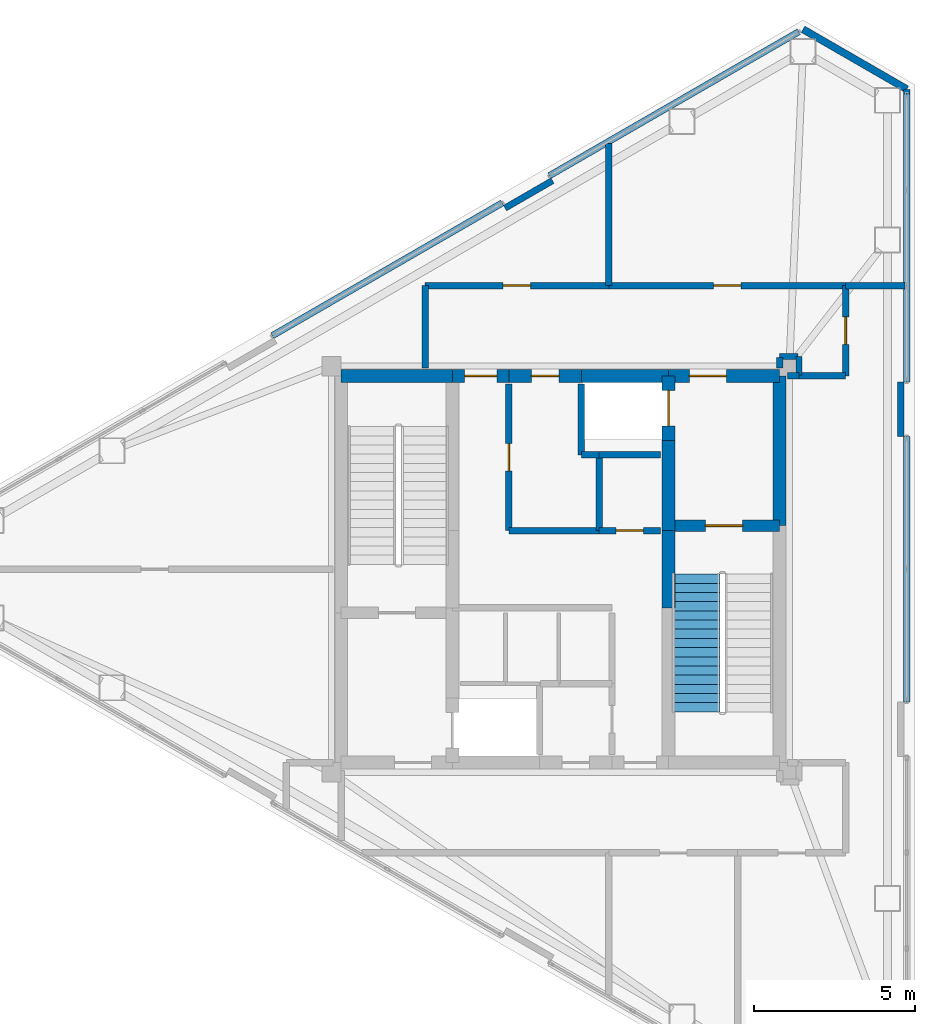
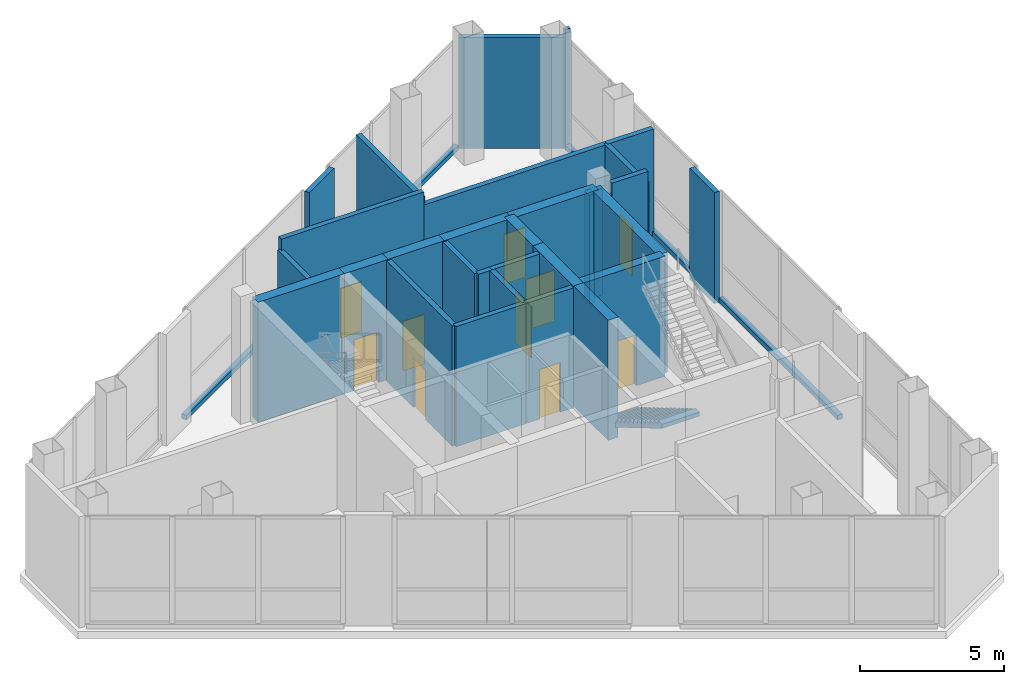
# One storey, part 11 of 13: 36 walls, 10 doors, 1 stair flight, 10 openings, 1 element without a shape of its own.
"""IFC4 building model written with IfcOpenShell, lengths in metres."""

from ifc_helpers import new_model, si_unit, direction, frame, frame_2d, origin, place, context, subcontext, project, spatial, polyline, rectangle, outline, extrude, material, layer, layer_set, type_object, element, fill, aggregate, save


model = new_model("IFC4")

# Units and contexts
model_context = context("Model", 3, precision=1e-05, world=origin(), true_north=direction((0.0, 1.0)))
body_context = subcontext(model_context, "Body", "Model", "MODEL_VIEW")
ifc_project = project(units=[si_unit("LENGTHUNIT", "METRE"), si_unit("AREAUNIT", "SQUARE_METRE"), si_unit("VOLUMEUNIT", "CUBIC_METRE"), si_unit("PLANEANGLEUNIT", "RADIAN"), si_unit("MASSUNIT", "GRAM", prefix="KILO")], contexts=[model_context])

# Site, building, storey
site_placement = place(None, origin())
site = spatial("IfcSite", under=ifc_project, at=site_placement, CompositionType="ELEMENT")
building_placement = place(site_placement, origin())
building = spatial("IfcBuilding", under=site, at=building_placement, Name="Mersakhor Tower and Convention Hall", CompositionType="ELEMENT")
storey_placement = place(building_placement, frame((0.0, 0.0, 258.60009765625)))
storey = spatial("IfcBuildingStorey", under=building, at=storey_placement, Name="L72", CompositionType="ELEMENT", Elevation=258.60009765625)

# Walls
ifc_material_1 = material(Name="Precast concrete C40/50", Category="concrete")
ifc_layer_1 = layer(ifc_material_1, 0.22509765625)
ifc_layer_set_1 = layer_set([ifc_layer_1], Name="Precast concrete C40/50")
wall_type_1 = type_object("IfcWallType", Name="WL-EXT-225", PredefinedType="SOLIDWALL", material=ifc_layer_set_1)
wall_1_placement = place(storey_placement, frame((36.525146484375, 43.49951171875, 0.0), z_axis=(0.0, 0.0, 1.0), x_axis=(0.866038962515, -0.499976514854, 0.0)))
element("IfcWall", 1, at=wall_1_placement, inside=storey, type_object=wall_type_1, Name="L72 Chamfer Braced Spandrel Wall C1", PredefinedType="SOLIDWALL", context=body_context, shape_type="SweptSolid", body=[
    extrude(rectangle(XDim=3.715576171875, YDim=0.22509765625, at=frame_2d((1.85791015625, 0.0))), origin(), (0.0, 0.0, 1.0), 4.699951171875),
])
ifc_material_2 = material(Name="Precast concrete C40/50", Category="concrete")
ifc_layer_2 = layer(ifc_material_2, 0.199951171875)
ifc_layer_set_2 = layer_set([ifc_layer_2], Name="Precast concrete C40/50")
wall_type_2 = type_object("IfcWallType", Name="WL-PAR-200", PredefinedType="PARAPET", material=ifc_layer_set_2)
wall_2_placement = place(storey_placement, frame((20.06591796875, 33.99658203125, 0.0), z_axis=(0.0, 0.0, 1.0), x_axis=(0.866019557082, 0.500010126649, 0.0)))
element("IfcWall", 2, at=wall_2_placement, inside=storey, type_object=wall_type_2, Name="L72 Curtain Wall Upstand Sill F1-B2", PredefinedType="PARAPET", context=body_context, shape_type="SweptSolid", body=[
    extrude(rectangle(XDim=8.227783203125, YDim=0.199951171875, at=frame_2d((4.11376953125, 0.0))), origin(), (0.0, 0.0, 1.0), 0.199951171875),
])
wall_3_placement = place(storey_placement, frame((28.66357421875, 38.96044921875, 0.0), z_axis=(0.0, 0.0, 1.0), x_axis=(0.866026655105, 0.499997832642, 0.0)))
element("IfcWall", 3, at=wall_3_placement, inside=storey, type_object=wall_type_2, Name="L72 Curtain Wall Upstand Sill F1-B3", PredefinedType="PARAPET", context=body_context, shape_type="SweptSolid", body=[
    extrude(rectangle(XDim=8.927734375, YDim=0.199951171875, at=frame_2d((4.4638671875, 0.0))), origin(), (0.0, 0.0, 1.0), 0.199951171875),
])
wall_4_placement = place(storey_placement, frame((27.28125, 37.95458984375, 0.0), z_axis=(0.0, 0.0, 1.0), x_axis=(0.866025371046, 0.500000056704, 0.0)))
element("IfcWall", 4, at=wall_4_placement, inside=storey, type_object=wall_type_2, Name="L72 Column Pier Cladding Wall F1-C2", PredefinedType="PARAPET", context=body_context, shape_type="SweptSolid", body=[
    extrude(rectangle(XDim=1.7001953125, YDim=0.199951171875, at=frame_2d((0.85009765625, 0.0))), origin(), (0.0, 0.0, 1.0), 4.699951171875),
])
wall_5_placement = place(storey_placement, frame((39.742919921875, 41.49169921875, 0.0), z_axis=(0.0, 0.0, 1.0), x_axis=(0.0, -1.0, 0.0)))
element("IfcWall", 5, at=wall_5_placement, inside=storey, type_object=wall_type_2, Name="L72 Curtain Wall Upstand Sill F2-B1", PredefinedType="PARAPET", context=body_context, shape_type="SweptSolid", body=[
    extrude(rectangle(XDim=8.927734375, YDim=0.199951171875, at=frame_2d((4.4638671875, 0.0))), origin(), (0.0, 0.0, 1.0), 0.199951171875),
])
wall_6_placement = place(storey_placement, frame((39.742919921875, 30.864013671875, 0.0), z_axis=(0.0, 0.0, 1.0), x_axis=(0.0, -1.0, 0.0)))
element("IfcWall", 6, at=wall_6_placement, inside=storey, type_object=wall_type_2, Name="L72 Curtain Wall Upstand Sill F2-B2", PredefinedType="PARAPET", context=body_context, shape_type="SweptSolid", body=[
    extrude(rectangle(XDim=8.22802734375, YDim=0.199951171875, at=frame_2d((4.114013671875, 0.0))), origin(), (0.0, 0.0, 1.0), 0.199951171875),
])
wall_7_placement = place(storey_placement, frame((39.562744140625, 32.56396484375, 0.0), z_axis=(0.0, 0.0, 1.0), x_axis=(0.0, -1.0, 0.0)))
element("IfcWall", 7, at=wall_7_placement, inside=storey, type_object=wall_type_2, Name="L72 Column Pier Cladding Wall F2-C1", PredefinedType="PARAPET", context=body_context, shape_type="SweptSolid", body=[
    extrude(rectangle(XDim=1.699951171875, YDim=0.199951171875, at=frame_2d((0.85009765625, 0.0))), origin(), (0.0, 0.0, 1.0), 4.699951171875),
])
ifc_material_3 = material(Name="Acoustic concrete blockwork and gypsum board", Category="masonry")
ifc_layer_3 = layer(ifc_material_3, 0.199951171875)
ifc_layer_set_3 = layer_set([ifc_layer_3], Name="Acoustic concrete blockwork and gypsum board")
wall_type_3 = type_object("IfcWallType", Name="WL-PRT-200", PredefinedType="PARTITIONING", material=ifc_layer_set_3)
wall_8_placement = place(storey_placement, frame((32.10009765625, 30.300048828125, 0.0), z_axis=(0.0, 0.0, 1.0), x_axis=(-1.0, 0.0, 0.0)))
element("IfcWall", 8, at=wall_8_placement, inside=storey, type_object=wall_type_3, Name="L72 Interior Partition Wall P-004", PredefinedType="PARTITIONING", context=body_context, shape_type="SweptSolid", body=[
    extrude(rectangle(XDim=1.900146484375, YDim=0.199951171875, at=frame_2d((0.9501953125, 0.0))), origin(), (0.0, 0.0, 1.0), 5.079833984375),
])
wall_9_placement = place(storey_placement, frame((30.199951171875, 30.300048828125, 0.0), z_axis=(0.0, 0.0, 1.0), x_axis=(-1.0, 0.0, 0.0)))
element("IfcWall", 9, at=wall_9_placement, inside=storey, type_object=wall_type_3, Name="L72 Interior Partition Wall P-005", PredefinedType="PARTITIONING", context=body_context, shape_type="SweptSolid", body=[
    extrude(rectangle(XDim=0.550048828125, YDim=0.199951171875, at=frame_2d((0.27490234375, 0.0))), origin(), (0.0, 0.0, 1.0), 5.079833984375),
])
wall_10_placement = place(storey_placement, frame((29.64990234375, 30.300048828125, 0.0), z_axis=(0.0, 0.0, 1.0), x_axis=(0.0, 1.0, 0.0)))
element("IfcWall", 10, at=wall_10_placement, inside=storey, type_object=wall_type_3, Name="L72 Interior Partition Wall P-006", PredefinedType="PARTITIONING", context=body_context, shape_type="SweptSolid", body=[
    extrude(rectangle(XDim=2.199951171875, YDim=0.199951171875, at=frame_2d((1.10009765625, 0.0))), origin(), (0.0, 0.0, 1.0), 5.079833984375),
])

# Wall, opening, door
wall_11_placement = place(storey_placement, frame((27.39990234375, 32.5, 0.0), z_axis=(0.0, 0.0, 1.0), x_axis=(0.0, -1.0, 0.0)))
wall_11 = element("IfcWall", 11, at=wall_11_placement, inside=storey, type_object=wall_type_3, Name="L72 Interior Partition Wall P-013", PredefinedType="PARTITIONING", context=body_context, shape_type="SweptSolid", body=[
    extrude(rectangle(XDim=4.550048828125, YDim=0.199951171875, at=frame_2d((2.27490234375, 0.0))), origin(), (0.0, 0.0, 1.0), 5.079833984375),
])
opening_1_placement = place(wall_11_placement, frame((1.85009765625, 0.0, 0.0)))
opening_1 = element("IfcOpeningElement", 12, at=opening_1_placement, cuts=wall_11, Name="Opening SVD-01", PredefinedType="OPENING", context=body_context, shape_type="SweptSolid", body=[
    extrude(rectangle(XDim=0.85009765625, YDim=2.10009765625, at=frame_2d((0.425048828125, 1.050048828125))), frame((0.0, 0.10986328125, 0.0), z_axis=(0.0, -1.0, 0.0), x_axis=(1.0, 0.0, 0.0)), (0.0, 0.0, 1.0), 0.219970703125),
])
ifc_material_4 = material(Name="Fire-rated hardwood leaf and painted steel frame", Category="steel")
door_type_1 = type_object("IfcDoorType", Name="DR-INT-SVC-085x210", OperationType="NOTDEFINED", PredefinedType="DOOR", material=ifc_material_4)
door_1_placement = place(opening_1_placement, origin())
door_1 = element("IfcDoor", 13, at=door_1_placement, inside=storey, type_object=door_type_1, Name="L72 Central Passenger Lift Lobby to Core Pressurisation Fan Plant Room Door", OperationType="SINGLE_SWING_RIGHT", OverallHeight=2.10009765625, OverallWidth=0.85009765625, PredefinedType="DOOR", context=body_context, shape_type="SweptSolid", body=[
    extrude(rectangle(XDim=0.85009765625, YDim=2.10009765625, at=frame_2d((0.425048828125, 1.050048828125))), frame((0.0, 0.02490234375, 0.0), z_axis=(0.0, -1.0, 0.0), x_axis=(1.0, 0.0, 0.0)), (0.0, 0.0, 1.0), 0.050048828125),
])
fill(opening_1, door_1)

# Wall
wall_12_placement = place(storey_placement, frame((27.39990234375, 27.949951171875, 0.0), z_axis=(0.0, 0.0, 1.0), x_axis=(1.0, 0.0, 0.0)))
element("IfcWall", 14, at=wall_12_placement, inside=storey, type_object=wall_type_3, Name="L72 Interior Partition Wall P-014", PredefinedType="PARTITIONING", context=body_context, shape_type="SweptSolid", body=[
    extrude(rectangle(XDim=2.800048828125, YDim=0.199951171875, at=frame_2d((1.39990234375, 0.0))), origin(), (0.0, 0.0, 1.0), 5.079833984375),
])

# Wall, opening, door
wall_13_placement = place(storey_placement, frame((30.199951171875, 27.949951171875, 0.0), z_axis=(0.0, 0.0, 1.0), x_axis=(1.0, 0.0, 0.0)))
wall_13 = element("IfcWall", 15, at=wall_13_placement, inside=storey, type_object=wall_type_3, Name="L72 Interior Partition Wall P-015", PredefinedType="PARTITIONING", context=body_context, shape_type="SweptSolid", body=[
    extrude(rectangle(XDim=1.900146484375, YDim=0.199951171875, at=frame_2d((0.9501953125, 0.0))), origin(), (0.0, 0.0, 1.0), 5.079833984375),
])
opening_2_placement = place(wall_13_placement, frame((0.52490234375, 0.0, 0.0)))
opening_2 = element("IfcOpeningElement", 16, at=opening_2_placement, cuts=wall_13, Name="Opening SVD-01", PredefinedType="OPENING", context=body_context, shape_type="SweptSolid", body=[
    extrude(rectangle(XDim=0.85009765625, YDim=2.10009765625, at=frame_2d((0.425048828125, 1.050048828125))), frame((0.0, 0.10986328125, 0.0), z_axis=(0.0, -1.0, 0.0), x_axis=(1.0, 0.0, 0.0)), (0.0, 0.0, 1.0), 0.219970703125),
])
door_2_placement = place(opening_2_placement, origin())
door_2 = element("IfcDoor", 17, at=door_2_placement, inside=storey, type_object=door_type_1, Name="L72 Central Passenger Lift Lobby to Core Fire Alarm and BMS Plant Room Door", OperationType="SINGLE_SWING_LEFT", OverallHeight=2.10009765625, OverallWidth=0.85009765625, PredefinedType="DOOR", context=body_context, shape_type="SweptSolid", body=[
    extrude(rectangle(XDim=0.85009765625, YDim=2.10009765625, at=frame_2d((0.425048828125, 1.050048828125))), frame((0.0, 0.02490234375, 0.0), z_axis=(0.0, -1.0, 0.0), x_axis=(1.0, 0.0, 0.0)), (0.0, 0.0, 1.0), 0.050048828125),
])
fill(opening_2, door_2)

wall_14_placement = place(storey_placement, frame((24.800048828125, 35.550048828125, 0.0), z_axis=(0.0, 0.0, 1.0), x_axis=(1.0, 0.0, 0.0)))
wall_14 = element("IfcWall", 18, at=wall_14_placement, inside=storey, type_object=wall_type_3, Name="L72 Interior Partition Wall P-016", PredefinedType="PARTITIONING", context=body_context, shape_type="SweptSolid", body=[
    extrude(rectangle(XDim=5.699951171875, YDim=0.199951171875, at=frame_2d((2.85009765625, 0.0))), origin(), (0.0, 0.0, 1.0), 5.079833984375),
])
opening_3_placement = place(wall_14_placement, frame((2.425048828125, 0.0, 0.0)))
opening_3 = element("IfcOpeningElement", 19, at=opening_3_placement, cuts=wall_14, Name="Opening SVD-01", PredefinedType="OPENING", context=body_context, shape_type="SweptSolid", body=[
    extrude(rectangle(XDim=0.85009765625, YDim=2.10009765625, at=frame_2d((0.425048828125, 1.050048828125))), frame((0.0, 0.10986328125, 0.0), z_axis=(0.0, -1.0, 0.0), x_axis=(1.0, 0.0, 0.0)), (0.0, 0.0, 1.0), 0.219970703125),
])
door_3_placement = place(opening_3_placement, origin())
door_3 = element("IfcDoor", 20, at=door_3_placement, inside=storey, type_object=door_type_1, Name="L72 L72 North Mechanical Plant Corridor to Upper Zone Air Handling Plant Room Door", OperationType="SINGLE_SWING_LEFT", OverallHeight=2.10009765625, OverallWidth=0.85009765625, PredefinedType="DOOR", context=body_context, shape_type="SweptSolid", body=[
    extrude(rectangle(XDim=0.85009765625, YDim=2.10009765625, at=frame_2d((0.425048828125, 1.050048828125))), frame((0.0, 0.02490234375, 0.0), z_axis=(0.0, -1.0, 0.0), x_axis=(1.0, 0.0, 0.0)), (0.0, 0.0, 1.0), 0.050048828125),
])
fill(opening_3, door_3)

wall_15_placement = place(storey_placement, frame((30.5, 35.550048828125, 0.0), z_axis=(0.0, 0.0, 1.0), x_axis=(1.0, 0.0, 0.0)))
wall_15 = element("IfcWall", 21, at=wall_15_placement, inside=storey, type_object=wall_type_3, Name="L72 Interior Partition Wall P-017", PredefinedType="PARTITIONING", context=body_context, shape_type="SweptSolid", body=[
    extrude(rectangle(XDim=7.35009765625, YDim=0.199951171875, at=frame_2d((3.675048828125, 0.0))), origin(), (0.0, 0.0, 1.0), 4.5283203125),
])
opening_4_placement = place(wall_15_placement, frame((3.25, 0.0, 0.0)))
opening_4 = element("IfcOpeningElement", 22, at=opening_4_placement, cuts=wall_15, Name="Opening SVD-01", PredefinedType="OPENING", context=body_context, shape_type="SweptSolid", body=[
    extrude(rectangle(XDim=0.85009765625, YDim=2.10009765625, at=frame_2d((0.425048828125, 1.050048828125))), frame((0.0, 0.10986328125, 0.0), z_axis=(0.0, -1.0, 0.0), x_axis=(1.0, 0.0, 0.0)), (0.0, 0.0, 1.0), 0.219970703125),
])
door_4_placement = place(opening_4_placement, origin())
door_4 = element("IfcDoor", 23, at=door_4_placement, inside=storey, type_object=door_type_1, Name="L72 L72 North Mechanical Plant Corridor to Tuned Mass Damper Pendulum Chamber Door", OperationType="SINGLE_SWING_RIGHT", OverallHeight=2.10009765625, OverallWidth=0.85009765625, PredefinedType="DOOR", context=body_context, shape_type="SweptSolid", body=[
    extrude(rectangle(XDim=0.85009765625, YDim=2.10009765625, at=frame_2d((0.425048828125, 1.050048828125))), frame((0.0, 0.02490234375, 0.0), z_axis=(0.0, -1.0, 0.0), x_axis=(1.0, 0.0, 0.0)), (0.0, 0.0, 1.0), 0.050048828125),
])
fill(opening_4, door_4)

wall_16_placement = place(storey_placement, frame((37.85009765625, 35.550048828125, 0.0), z_axis=(0.0, 0.0, 1.0), x_axis=(0.0, -1.0, 0.0)))
wall_16 = element("IfcWall", 24, at=wall_16_placement, inside=storey, type_object=wall_type_3, Name="L72 Interior Partition Wall P-018", PredefinedType="PARTITIONING", context=body_context, shape_type="SweptSolid", body=[
    extrude(rectangle(XDim=2.800048828125, YDim=0.199951171875, at=frame_2d((1.39990234375, 0.0))), origin(), (0.0, 0.0, 1.0), 4.5283203125),
])
opening_5_placement = place(wall_16_placement, frame((0.97509765625, 0.0, 0.0)))
opening_5 = element("IfcOpeningElement", 25, at=opening_5_placement, cuts=wall_16, Name="Opening SVD-01", PredefinedType="OPENING", context=body_context, shape_type="SweptSolid", body=[
    extrude(rectangle(XDim=0.85009765625, YDim=2.10009765625, at=frame_2d((0.425048828125, 1.050048828125))), frame((0.0, 0.10986328125, 0.0), z_axis=(0.0, -1.0, 0.0), x_axis=(1.0, 0.0, 0.0)), (0.0, 0.0, 1.0), 0.219970703125),
])
door_5_placement = place(opening_5_placement, origin())
door_5 = element("IfcDoor", 26, at=door_5_placement, inside=storey, type_object=door_type_1, Name="L72 L72 North Mechanical Plant Corridor to High-Zone Booster Water Pump Room Door", OperationType="SINGLE_SWING_RIGHT", OverallHeight=2.10009765625, OverallWidth=0.85009765625, PredefinedType="DOOR", context=body_context, shape_type="SweptSolid", body=[
    extrude(rectangle(XDim=0.85009765625, YDim=2.10009765625, at=frame_2d((0.425048828125, 1.050048828125))), frame((0.0, 0.02490234375, 0.0), z_axis=(0.0, -1.0, 0.0), x_axis=(1.0, 0.0, 0.0)), (0.0, 0.0, 1.0), 0.050048828125),
])
fill(opening_5, door_5)

# Walls
wall_17_placement = place(storey_placement, frame((37.85009765625, 32.75, 0.0), z_axis=(0.0, 0.0, 1.0), x_axis=(-1.0, 0.0, 0.0)))
element("IfcWall", 27, at=wall_17_placement, inside=storey, type_object=wall_type_3, Name="L72 Interior Partition Wall P-019", PredefinedType="PARTITIONING", context=body_context, shape_type="SweptSolid", body=[
    extrude(rectangle(XDim=1.4501953125, YDim=0.199951171875, at=frame_2d((0.72509765625, 0.0))), origin(), (0.0, 0.0, 1.0), 5.079833984375),
])
for number, where, z_axis, x_axis, name in (
    (28, (36.39990234375, 32.780029296875, 0.0), (0.0, 0.0, 1.0), (0.0, 1.0, 0.0), "L72 Interior Partition Wall P-020"),
    (29, (36.3701171875, 33.35009765625, 0.0), (0.0, 0.0, 1.0), (-1.0, 0.0, 0.0), "L72 Interior Partition Wall P-021"),
):
    element("IfcWall", number, at=place(storey_placement, frame(where, z_axis=z_axis, x_axis=x_axis)), inside=storey, type_object=wall_type_3, Name=name, PredefinedType="PARTITIONING", context=body_context, shape_type="SweptSolid", body=[
        extrude(rectangle(XDim=0.570068359375, YDim=0.199951171875, at=frame_2d((0.28515625, 0.0))), origin(), (0.0, 0.0, 1.0), 4.5283203125),
    ])
wall_18_placement = place(storey_placement, frame((35.800048828125, 33.320068359375, 0.0), z_axis=(0.0, 0.0, 1.0), x_axis=(0.0, -1.0, 0.0)))
element("IfcWall", 30, at=wall_18_placement, inside=storey, type_object=wall_type_3, Name="L72 Interior Partition Wall P-022", PredefinedType="PARTITIONING", context=body_context, shape_type="SweptSolid", body=[
    extrude(rectangle(XDim=0.320068359375, YDim=0.199951171875, at=frame_2d((0.16015625, 0.0))), origin(), (0.0, 0.0, 1.0), 4.60498046875),
])
wall_19_placement = place(storey_placement, frame((24.800048828125, 33.0, 0.0), z_axis=(0.0, 0.0, 1.0), x_axis=(0.0, 1.0, 0.0)))
element("IfcWall", 31, at=wall_19_placement, inside=storey, type_object=wall_type_3, Name="L72 Interior Partition Wall P-023", PredefinedType="PARTITIONING", context=body_context, shape_type="SweptSolid", body=[
    extrude(rectangle(XDim=2.550048828125, YDim=0.199951171875, at=frame_2d((1.27490234375, 0.0))), origin(), (0.0, 0.0, 1.0), 4.60498046875),
])
wall_20_placement = place(storey_placement, frame((30.199951171875, 30.300048828125, 0.0), z_axis=(0.0, 0.0, 1.0), x_axis=(0.0, -1.0, 0.0)))
element("IfcWall", 32, at=wall_20_placement, inside=storey, type_object=wall_type_3, Name="L72 Interior Partition Wall P-033", PredefinedType="PARTITIONING", context=body_context, shape_type="SweptSolid", body=[
    extrude(rectangle(XDim=2.35009765625, YDim=0.199951171875, at=frame_2d((1.175048828125, 0.0))), origin(), (0.0, 0.0, 1.0), 5.079833984375),
])
wall_21_placement = place(storey_placement, frame((39.69287109375, 35.550048828125, 0.0), z_axis=(0.0, 0.0, 1.0), x_axis=(-1.0, 0.0, 0.0)))
element("IfcWall", 33, at=wall_21_placement, inside=storey, type_object=wall_type_3, Name="L72 Interior Partition Wall P-034", PredefinedType="PARTITIONING", context=body_context, shape_type="SweptSolid", body=[
    extrude(rectangle(XDim=1.8427734375, YDim=0.199951171875, at=frame_2d((0.92138671875, 0.0))), origin(), (0.0, 0.0, 1.0), 4.5283203125),
])
wall_22_placement = place(storey_placement, frame((30.5, 35.550048828125, 0.0), z_axis=(0.0, 0.0, 1.0), x_axis=(0.0, 1.0, 0.0)))
element("IfcWall", 34, at=wall_22_placement, inside=storey, type_object=wall_type_3, Name="L72 Interior Partition Wall P-035", PredefinedType="PARTITIONING", context=body_context, shape_type="SweptSolid", body=[
    extrude(rectangle(XDim=4.412841796875, YDim=0.199951171875, at=frame_2d((2.20654296875, 0.0))), origin(), (0.0, 0.0, 1.0), 4.8046875),
])
wall_23_placement = place(storey_placement, frame((39.742919921875, 41.626953125, 0.0), z_axis=(0.0, 0.0, 1.0), x_axis=(0.0, -1.0, 0.0)))
element("IfcWall", 35, at=wall_23_placement, inside=storey, type_object=wall_type_3, Name="L72 Interior Partition Wall P-036", PredefinedType="PARTITIONING", context=body_context, shape_type="SweptSolid", body=[
    extrude(rectangle(XDim=0.13525390625, YDim=0.199951171875, at=frame_2d((0.067626953125, 0.0))), origin(), (0.0, 0.0, 1.0), 5.079833984375),
])
wall_24_placement = place(storey_placement, frame((36.050048828125, 32.75, 0.0), z_axis=(0.0, 0.0, 1.0), x_axis=(1.0, 0.0, 0.0)))
element("IfcWall", 36, at=wall_24_placement, inside=storey, type_object=wall_type_3, Name="L72 Interior Partition Wall P-043", PredefinedType="PARTITIONING", context=body_context, shape_type="SweptSolid", body=[
    extrude(rectangle(XDim=0.349853515625, YDim=0.199951171875, at=frame_2d((0.1748046875, 0.0))), origin(), (0.0, 0.0, 1.0), 4.60498046875),
])

# Wall, opening, door
ifc_material_5 = material(Name="Concrete C50/60", Category="concrete")
ifc_layer_4 = layer(ifc_material_5, 0.35009765625)
ifc_layer_set_4 = layer_set([ifc_layer_4], Name="Concrete C50/60")
wall_type_4 = type_object("IfcWallType", Name="WL-SHR-350", PredefinedType="SHEAR", material=ifc_layer_set_4)
wall_25_placement = place(storey_placement, frame((32.35009765625, 28.10009765625, 0.0), z_axis=(0.0, 0.0, 1.0), x_axis=(1.0, 0.0, 0.0)))
wall_25 = element("IfcWall", 37, at=wall_25_placement, inside=storey, type_object=wall_type_4, Name="L72 Core Wall CS-ST2-N", PredefinedType="SHEAR", context=body_context, shape_type="SweptSolid", body=[
    extrude(rectangle(XDim=3.449951171875, YDim=0.35009765625, at=frame_2d((1.72509765625, 0.0))), origin(), (0.0, 0.0, 1.0), 5.079833984375),
])
opening_6_placement = place(wall_25_placement, frame((1.14990234375, 0.0, 0.0)))
opening_6 = element("IfcOpeningElement", 38, at=opening_6_placement, cuts=wall_25, Name="Opening SD-01", PredefinedType="OPENING", context=body_context, shape_type="SweptSolid", body=[
    extrude(rectangle(XDim=1.14990234375, YDim=2.14990234375, at=frame_2d((0.574951171875, 1.074951171875))), frame((0.0, 0.18505859375, 0.0), z_axis=(0.0, -1.0, 0.0), x_axis=(1.0, 0.0, 0.0)), (0.0, 0.0, 1.0), 0.3701171875),
])
ifc_material_6 = material(Name="Fire-rated hardwood leaf and painted steel frame", Category="steel")
door_type_2 = type_object("IfcDoorType", Name="DR-INT-STAIR-115x215", OperationType="NOTDEFINED", PredefinedType="DOOR", material=ifc_material_6)
door_6_placement = place(opening_6_placement, origin())
door_6 = element("IfcDoor", 39, at=door_6_placement, inside=storey, type_object=door_type_2, Name="L72 Exit Stair ST-2 Enclosure Door", OperationType="SINGLE_SWING_RIGHT", OverallHeight=2.14990234375, OverallWidth=1.14990234375, PredefinedType="DOOR", context=body_context, shape_type="SweptSolid", body=[
    extrude(rectangle(XDim=1.14990234375, YDim=2.14990234375, at=frame_2d((0.574951171875, 1.074951171875))), frame((0.0, 0.02490234375, 0.0), z_axis=(0.0, -1.0, 0.0), x_axis=(1.0, 0.0, 0.0)), (0.0, 0.0, 1.0), 0.050048828125),
])
fill(opening_6, door_6)

# Wall
ifc_material_7 = material(Name="Concrete C60/75", Category="concrete")
ifc_layer_5 = layer(ifc_material_7, 0.39990234375)
ifc_layer_set_5 = layer_set([ifc_layer_5], Name="Concrete C60/75")
wall_type_5 = type_object("IfcWallType", Name="WL-SHR-400", PredefinedType="SHEAR", material=ifc_layer_set_5)
wall_26_placement = place(storey_placement, frame((22.199951171875, 32.75, 0.0), z_axis=(0.0, 0.0, 1.0), x_axis=(1.0, 0.0, 0.0)))
element("IfcWall", 40, at=wall_26_placement, inside=storey, type_object=wall_type_5, Name="L72 Core Wall CW-N1", PredefinedType="SHEAR", context=body_context, shape_type="SweptSolid", body=[
    extrude(rectangle(XDim=3.449951171875, YDim=0.39990234375, at=frame_2d((1.72509765625, 0.0))), origin(), (0.0, 0.0, 1.0), 5.079833984375),
])

# Wall, opening, door
wall_27_placement = place(storey_placement, frame((25.64990234375, 32.75, 0.0), z_axis=(0.0, 0.0, 1.0), x_axis=(1.0, 0.0, 0.0)))
wall_27 = element("IfcWall", 41, at=wall_27_placement, inside=storey, type_object=wall_type_5, Name="L72 Core Wall CW-N2A", PredefinedType="SHEAR", context=body_context, shape_type="SweptSolid", body=[
    extrude(rectangle(XDim=1.75, YDim=0.39990234375, at=frame_2d((0.875, 0.0))), origin(), (0.0, 0.0, 1.0), 5.079833984375),
])
opening_7_placement = place(wall_27_placement, frame((0.375, 0.0, 0.0)))
opening_7 = element("IfcOpeningElement", 42, at=opening_7_placement, cuts=wall_27, Name="Opening CFD-01", PredefinedType="OPENING", context=body_context, shape_type="SweptSolid", body=[
    extrude(rectangle(XDim=1.0, YDim=2.14990234375, at=frame_2d((0.5, 1.074951171875))), frame((0.0, 0.2099609375, 0.0), z_axis=(0.0, -1.0, 0.0), x_axis=(1.0, 0.0, 0.0)), (0.0, 0.0, 1.0), 0.419921875),
])
ifc_material_8 = material(Name="Fire-rated hardwood leaf and painted steel frame", Category="steel")
door_type_3 = type_object("IfcDoorType", Name="DR-CORE-FD-100x215", OperationType="NOTDEFINED", PredefinedType="DOOR", material=ifc_material_8)
door_7_placement = place(opening_7_placement, origin())
door_7 = element("IfcDoor", 43, at=door_7_placement, inside=storey, type_object=door_type_3, Name="L72 Lift Lobby North Corridor Door", OperationType="SINGLE_SWING_LEFT", OverallHeight=2.14990234375, OverallWidth=1.0, PredefinedType="DOOR", context=body_context, shape_type="SweptSolid", body=[
    extrude(rectangle(XDim=1.0, YDim=2.14990234375, at=frame_2d((0.5, 1.074951171875))), frame((0.0, 0.02490234375, 0.0), z_axis=(0.0, -1.0, 0.0), x_axis=(1.0, 0.0, 0.0)), (0.0, 0.0, 1.0), 0.050048828125),
])
fill(opening_7, door_7)

wall_28_placement = place(storey_placement, frame((27.39990234375, 32.75, 0.0), z_axis=(0.0, 0.0, 1.0), x_axis=(1.0, 0.0, 0.0)))
wall_28 = element("IfcWall", 44, at=wall_28_placement, inside=storey, type_object=wall_type_5, Name="L72 Core Wall CW-N2B", PredefinedType="SHEAR", context=body_context, shape_type="SweptSolid", body=[
    extrude(rectangle(XDim=2.25, YDim=0.39990234375, at=frame_2d((1.125, 0.0))), origin(), (0.0, 0.0, 1.0), 5.079833984375),
])
opening_8_placement = place(wall_28_placement, frame((0.699951171875, 0.0, 0.0)))
opening_8 = element("IfcOpeningElement", 45, at=opening_8_placement, cuts=wall_28, Name="Opening SVD-01", PredefinedType="OPENING", context=body_context, shape_type="SweptSolid", body=[
    extrude(rectangle(XDim=0.85009765625, YDim=2.10009765625, at=frame_2d((0.425048828125, 1.050048828125))), frame((0.0, 0.2099609375, 0.0), z_axis=(0.0, -1.0, 0.0), x_axis=(1.0, 0.0, 0.0)), (0.0, 0.0, 1.0), 0.419921875),
])
door_8_placement = place(opening_8_placement, origin())
door_8 = element("IfcDoor", 46, at=door_8_placement, inside=storey, type_object=door_type_1, Name="L72 L72 North Mechanical Plant Corridor to Core Pressurisation Fan Plant Room Door", OperationType="SINGLE_SWING_LEFT", OverallHeight=2.10009765625, OverallWidth=0.85009765625, PredefinedType="DOOR", context=body_context, shape_type="SweptSolid", body=[
    extrude(rectangle(XDim=0.85009765625, YDim=2.10009765625, at=frame_2d((0.425048828125, 1.050048828125))), frame((0.0, 0.02490234375, 0.0), z_axis=(0.0, -1.0, 0.0), x_axis=(1.0, 0.0, 0.0)), (0.0, 0.0, 1.0), 0.050048828125),
])
fill(opening_8, door_8)

# Wall
wall_29_placement = place(storey_placement, frame((29.64990234375, 32.75, 0.0), z_axis=(0.0, 0.0, 1.0), x_axis=(1.0, 0.0, 0.0)))
element("IfcWall", 47, at=wall_29_placement, inside=storey, type_object=wall_type_5, Name="L72 Core Wall CW-N3", PredefinedType="SHEAR", context=body_context, shape_type="SweptSolid", body=[
    extrude(rectangle(XDim=2.7001953125, YDim=0.39990234375, at=frame_2d((1.35009765625, 0.0))), origin(), (0.0, 0.0, 1.0), 5.079833984375),
])

# Wall, opening, door
wall_30_placement = place(storey_placement, frame((32.35009765625, 32.75, 0.0), z_axis=(0.0, 0.0, 1.0), x_axis=(1.0, 0.0, 0.0)))
wall_30 = element("IfcWall", 48, at=wall_30_placement, inside=storey, type_object=wall_type_5, Name="L72 Core Wall CW-N4", PredefinedType="SHEAR", context=body_context, shape_type="SweptSolid", body=[
    extrude(rectangle(XDim=3.449951171875, YDim=0.39990234375, at=frame_2d((1.72509765625, 0.0))), origin(), (0.0, 0.0, 1.0), 5.079833984375),
])
opening_9_placement = place(wall_30_placement, frame((0.64990234375, 0.0, 0.0)))
opening_9 = element("IfcOpeningElement", 49, at=opening_9_placement, cuts=wall_30, Name="Opening SD-01", PredefinedType="OPENING", context=body_context, shape_type="SweptSolid", body=[
    extrude(rectangle(XDim=1.14990234375, YDim=2.14990234375, at=frame_2d((0.574951171875, 1.074951171875))), frame((0.0, 0.2099609375, 0.0), z_axis=(0.0, -1.0, 0.0), x_axis=(1.0, 0.0, 0.0)), (0.0, 0.0, 1.0), 0.419921875),
])
door_9_placement = place(opening_9_placement, origin())
door_9 = element("IfcDoor", 50, at=door_9_placement, inside=storey, type_object=door_type_2, Name="L72 Firefighting Lobby East Fire Door", OperationType="SINGLE_SWING_RIGHT", OverallHeight=2.14990234375, OverallWidth=1.14990234375, PredefinedType="DOOR", context=body_context, shape_type="SweptSolid", body=[
    extrude(rectangle(XDim=1.14990234375, YDim=2.14990234375, at=frame_2d((0.574951171875, 1.074951171875))), frame((0.0, 0.02490234375, 0.0), z_axis=(0.0, -1.0, 0.0), x_axis=(1.0, 0.0, 0.0)), (0.0, 0.0, 1.0), 0.050048828125),
])
fill(opening_9, door_9)

# Walls
wall_31_placement = place(storey_placement, frame((35.800048828125, 32.75, 0.0), z_axis=(0.0, 0.0, 1.0), x_axis=(0.0, -1.0, 0.0)))
element("IfcWall", 51, at=wall_31_placement, inside=storey, type_object=wall_type_5, Name="L72 Core Wall CW-E1", PredefinedType="SHEAR", context=body_context, shape_type="SweptSolid", body=[
    extrude(rectangle(XDim=4.64990234375, YDim=0.39990234375, at=frame_2d((2.324951171875, 0.0))), origin(), (0.0, 0.0, 1.0), 5.079833984375),
])
wall_32_placement = place(storey_placement, frame((32.35009765625, 25.550048828125, 0.0), z_axis=(0.0, 0.0, 1.0), x_axis=(0.0, 1.0, 0.0)))
element("IfcWall", 52, at=wall_32_placement, inside=storey, type_object=wall_type_5, Name="L72 Core Wall CS-E-LOB", PredefinedType="SHEAR", context=body_context, shape_type="SweptSolid", body=[
    extrude(rectangle(XDim=2.39990234375, YDim=0.39990234375, at=frame_2d((1.199951171875, 0.0))), origin(), (0.0, 0.0, 1.0), 5.079833984375),
])
wall_33_placement = place(storey_placement, frame((32.35009765625, 27.949951171875, 0.0), z_axis=(0.0, 0.0, 1.0), x_axis=(0.0, 1.0, 0.0)))
element("IfcWall", 53, at=wall_33_placement, inside=storey, type_object=wall_type_5, Name="L72 Core Wall CS-E-MID", PredefinedType="SHEAR", context=body_context, shape_type="SweptSolid", body=[
    extrude(rectangle(XDim=2.800048828125, YDim=0.39990234375, at=frame_2d((1.39990234375, 0.0))), origin(), (0.0, 0.0, 1.0), 5.079833984375),
])

# Wall, opening, door
wall_34_placement = place(storey_placement, frame((32.35009765625, 30.75, 0.0), z_axis=(0.0, 0.0, 1.0), x_axis=(0.0, 1.0, 0.0)))
wall_34 = element("IfcWall", 54, at=wall_34_placement, inside=storey, type_object=wall_type_5, Name="L72 Core Wall CS-E-FFL", PredefinedType="SHEAR", context=body_context, shape_type="SweptSolid", body=[
    extrude(rectangle(XDim=2.0, YDim=0.39990234375, at=frame_2d((1.0, 0.0))), origin(), (0.0, 0.0, 1.0), 5.079833984375),
])
opening_10_placement = place(wall_34_placement, frame((0.449951171875, 0.0, 0.0)))
opening_10 = element("IfcOpeningElement", 55, at=opening_10_placement, cuts=wall_34, Name="Opening LD-FFL2", PredefinedType="OPENING", context=body_context, shape_type="SweptSolid", body=[
    extrude(rectangle(XDim=1.10009765625, YDim=2.14990234375, at=frame_2d((0.550048828125, 1.074951171875))), frame((0.0, 0.2099609375, 0.0), z_axis=(0.0, -1.0, 0.0), x_axis=(1.0, 0.0, 0.0)), (0.0, 0.0, 1.0), 0.419921875),
])
ifc_material_9 = material(Name="Fire-rated brushed stainless steel sliding landing door", Category="steel")
door_type_4 = type_object("IfcDoorType", Name="DR-LIFT-SLD-110x215", OperationType="NOTDEFINED", PredefinedType="DOOR", material=ifc_material_9)
door_10_placement = place(opening_10_placement, origin())
door_10 = element("IfcDoor", 56, at=door_10_placement, inside=storey, type_object=door_type_4, Name="L72 Firefighting Lift Landing Door LD-FFL2", OperationType="SLIDING_TO_LEFT", OverallHeight=2.14990234375, OverallWidth=1.10009765625, PredefinedType="DOOR", context=body_context, shape_type="SweptSolid", body=[
    extrude(rectangle(XDim=1.10009765625, YDim=2.14990234375, at=frame_2d((0.550048828125, 1.074951171875))), frame((0.0, 0.02490234375, 0.0), z_axis=(0.0, -1.0, 0.0), x_axis=(1.0, 0.0, 0.0)), (0.0, 0.0, 1.0), 0.050048828125),
])
fill(opening_10, door_10)

# Stair, stair flight
ifc_material_10 = material(Name="Concrete C45/55", Category="concrete")
stair_type = type_object("IfcStairType", Name="ST-TWR-32R", PredefinedType="HALF_TURN_STAIR", material=ifc_material_10)
stair_placement = place(storey_placement, origin())
stair = element("IfcStair", 57, at=stair_placement, inside=storey, type_object=stair_type, Name="L72 Tower Protected Exit Stair ST-2", PredefinedType="HALF_TURN_STAIR")
ifc_material_11 = material(Name="Concrete C45/55", Category="concrete")
stair_flight_type = type_object("IfcStairFlightType", Name="SFL-TWR-32R", PredefinedType="STRAIGHT", material=ifc_material_11)
stair_flight_placement = place(storey_placement, frame((33.199951171875, 26.60009765625, 0.0), z_axis=(0.0, 0.0, 1.0), x_axis=(0.0, -1.0, 0.0)))
stair_flight = element("IfcStairFlight", 58, at=stair_flight_placement, type_object=stair_flight_type, Name="ST-2 flight 1", NumberOfRisers=16, NumberOfTreads=15, PredefinedType="STRAIGHT", RiserHeight=0.16875, TreadLength=0.285, context=body_context, shape_type="SweptSolid", body=[
    extrude(outline(polyline([(0.0, 0.0), (0.0, 0.168701171875), (0.284912109375, 0.168701171875), (0.284912109375, 0.33740234375), (0.570068359375, 0.33740234375), (0.570068359375, 0.50634765625), (0.85498046875, 0.50634765625), (0.85498046875, 0.675048828125), (1.139892578125, 0.675048828125), (1.139892578125, 0.84375), (1.425048828125, 0.84375), (1.425048828125, 1.012451171875), (1.7099609375, 1.012451171875), (1.7099609375, 1.18115234375), (1.9951171875, 1.18115234375), (1.9951171875, 1.35009765625), (2.280029296875, 1.35009765625), (2.280029296875, 1.518798828125), (2.56494140625, 1.518798828125), (2.56494140625, 1.6875), (2.85009765625, 1.6875), (2.85009765625, 1.856201171875), (3.135009765625, 1.856201171875), (3.135009765625, 2.02490234375), (3.419921875, 2.02490234375), (3.419921875, 2.19384765625), (3.705078125, 2.19384765625), (3.705078125, 2.362548828125), (3.989990234375, 2.362548828125), (3.989990234375, 2.53125), (4.27490234375, 2.53125), (4.27490234375, 2.699951171875), (4.27490234375, 2.35693359375), (0.294189453125, 0.0), (0.0, 0.0)])), frame((0.0, 0.75, 0.0), z_axis=(0.0, -1.0, 0.0), x_axis=(1.0, 0.0, 0.0)), (0.0, 0.0, 1.0), 1.5),
])
aggregate(stair, [stair_flight])

save(model, "model.ifc")
